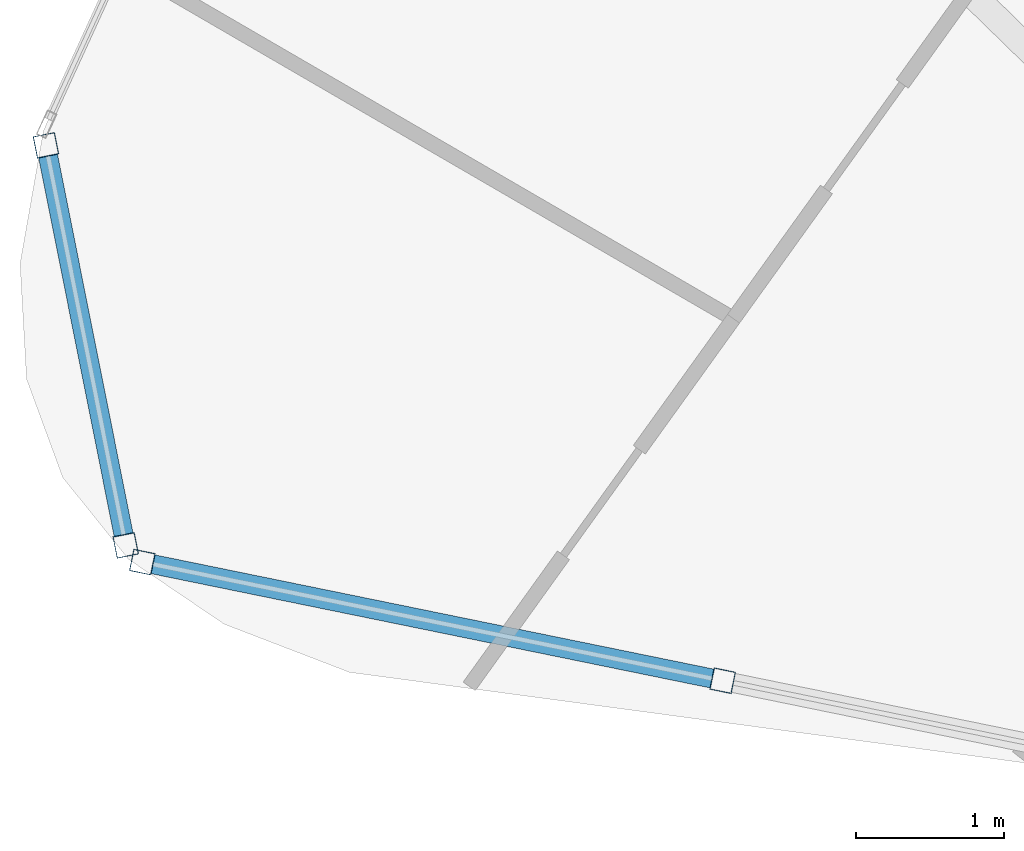
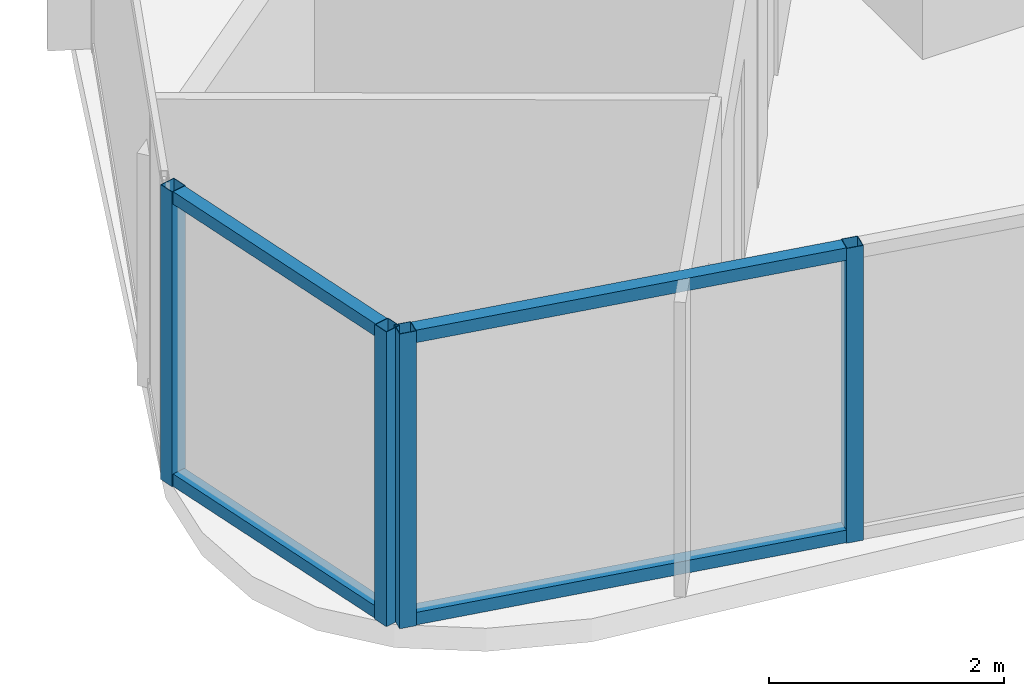
# One storey, part 2 of 37: 8 members, 2 elements without a shape of their own.
"""IFC4 building model written with IfcOpenShell, lengths in metres."""

import ifcopenshell
import ifcopenshell.guid

model = None  # the IFC model being written
_history = None  # IfcOwnerHistory: only IFC2X3 demands one
_inside = {}  # id of a spatial element -> (the spatial element, [elements in it])
_under = {}  # id of a project, library or spatial element -> (it, [spatial elements below it])
_declared = {}  # id of a project -> (the project, [libraries it declares])
_typed = {}  # id of a type object -> (the type object, [elements of that type])
_made_of = {}  # id of a material, layer set ... -> (it, [elements and type objects made of it])


def new_model(schema):
    """Start an empty IFC model of exactly this schema.

    Asked for "IFC4X3", IfcOpenShell would pick the latest addendum, in which some entities
    have other attributes; the version numbers below select the first issue.
    IFC2X3 requires an IfcOwnerHistory on every rooted entity: one is made here for all.
    """
    global model, _history
    if schema == "IFC4X3":
        model = ifcopenshell.file(schema_version=(4, 3, 0, 0))
    else:
        model = ifcopenshell.file(schema=schema)
    _inside.clear()
    _under.clear()
    _declared.clear()
    _typed.clear()
    _made_of.clear()
    _history = None
    if model.schema == "IFC2X3":
        org = make("IfcOrganization", Name="unknown")
        user = make(
            "IfcPersonAndOrganization",
            ThePerson=make("IfcPerson", FamilyName="unknown"),
            TheOrganization=org,
        )
        app = make(
            "IfcApplication",
            ApplicationDeveloper=org,
            Version="unknown",
            ApplicationFullName="unknown",
            ApplicationIdentifier="unknown",
        )
        _history = make(
            "IfcOwnerHistory",
            OwningUser=user,
            OwningApplication=app,
            ChangeAction="ADDED",
            CreationDate=0,
        )
    return model


def make(cls, **values):
    """One entity of the class cls with the attributes given. An attribute that is None is left unset."""
    return model.create_entity(
        cls, **{name: value for name, value in values.items() if value is not None}
    )


def rooted(cls, **values):
    """An entity with a GlobalId (a new one), such as an element, a storey or a relation."""
    return make(cls, GlobalId=ifcopenshell.guid.new(), OwnerHistory=_history, **values)


def si_unit(unit_type, name, prefix=None):
    """IfcSIUnit, for example si_unit("LENGTHUNIT", "METRE", prefix="MILLI")."""
    return make("IfcSIUnit", UnitType=unit_type, Prefix=prefix, Name=name)


def assignment(units):
    """IfcUnitAssignment: the units of a project."""
    return None if units is None else make("IfcUnitAssignment", Units=units)


def point(xyz):
    """IfcCartesianPoint."""
    return None if xyz is None else make("IfcCartesianPoint", Coordinates=xyz)


def direction(xyz):
    """IfcDirection."""
    return None if xyz is None else make("IfcDirection", DirectionRatios=xyz)


def frame(location, z_axis=None, x_axis=None):
    """IfcAxis2Placement3D, a coordinate frame: its origin and axes. An axis left out is left unset."""
    return make(
        "IfcAxis2Placement3D",
        Location=point(location),
        Axis=direction(z_axis),
        RefDirection=direction(x_axis),
    )


def frame_2d(location, x_axis=None):
    """IfcAxis2Placement2D, a coordinate frame in the plane: its origin and x axis."""
    return make(
        "IfcAxis2Placement2D", Location=point(location), RefDirection=direction(x_axis)
    )


def origin():
    """The frame at (0, 0, 0) with its axes left unset."""
    return frame((0.0, 0.0, 0.0))


def origin_2d():
    """The frame at (0, 0) in the plane with its x axis left unset."""
    return frame_2d((0.0, 0.0))


def place(relative_to, where):
    """IfcLocalPlacement: puts the frame where relative to a parent placement (None: the world)."""
    return make(
        "IfcLocalPlacement", PlacementRelTo=relative_to, RelativePlacement=where
    )


def context(
    kind, dimensions, precision=None, world=None, true_north=None, identifier=None
):
    """IfcGeometricRepresentationContext, for example the 3D "Model" context."""
    return make(
        "IfcGeometricRepresentationContext",
        ContextIdentifier=identifier,
        ContextType=kind,
        CoordinateSpaceDimension=dimensions,
        Precision=precision,
        WorldCoordinateSystem=world,
        TrueNorth=true_north,
    )


def subcontext(parent, identifier, kind, view, scale=None):
    """IfcGeometricRepresentationSubContext, for example "Body" below "Model"."""
    return make(
        "IfcGeometricRepresentationSubContext",
        ContextIdentifier=identifier,
        ContextType=kind,
        ParentContext=parent,
        TargetScale=scale,
        TargetView=view,
    )


def project(units=None, contexts=None):
    """IfcProject with its units and contexts."""
    return rooted(
        "IfcProject",
        Name="project",
        RepresentationContexts=contexts,
        UnitsInContext=assignment(units),
    )


def spatial(cls, under=None, at=None, **own):
    """A site, building, storey or space (cls), placed at a placement, below another one or the project."""
    s = rooted(cls, ObjectPlacement=at, **own)
    if under is not None:
        _under.setdefault(under.id(), (under, []))[1].append(s)
    return s


def profile(cls, at=None, kind="AREA", **sizes):
    """A parametric profile (cls). Its sizes go by their IFC names, for example OverallWidth=200.0."""
    return make(cls, ProfileType=kind, Position=at, **sizes)


def hollow_rectangle(**sizes):
    """IfcRectangleHollowProfileDef."""
    return profile("IfcRectangleHollowProfileDef", **sizes)


def extrude(swept, where, along, depth):
    """IfcExtrudedAreaSolid: the profile swept, set in the frame where, extruded along a direction by depth."""
    return make(
        "IfcExtrudedAreaSolid",
        SweptArea=swept,
        Position=where,
        ExtrudedDirection=direction(along),
        Depth=depth,
    )


def shape(context_of_items, identifier, shape_type, items):
    """IfcShapeRepresentation: the items that make up one representation, for example the "Body"."""
    return make(
        "IfcShapeRepresentation",
        ContextOfItems=context_of_items,
        RepresentationIdentifier=identifier,
        RepresentationType=shape_type,
        Items=items,
    )


def material(Name=None, Category=None):
    """IfcMaterial."""
    return make("IfcMaterial", Name=Name, Category=Category)


def layer(
    of_material, thickness, ventilated=None, Name=None, Category=None, Priority=None
):
    """IfcMaterialLayer: one layer of a wall or slab, of a material (None: an air gap)."""
    return make(
        "IfcMaterialLayer",
        Material=of_material,
        LayerThickness=thickness,
        IsVentilated=ventilated,
        Name=Name,
        Category=Category,
        Priority=Priority,
    )


def layer_set(layers, Name=None):
    """IfcMaterialLayerSet."""
    return make("IfcMaterialLayerSet", MaterialLayers=layers, LayerSetName=Name)


def material_profile(
    of_material, cross_section, Name=None, Category=None, Priority=None
):
    """IfcMaterialProfile: a cross section and its material."""
    return make(
        "IfcMaterialProfile",
        Name=Name,
        Material=of_material,
        Profile=cross_section,
        Priority=Priority,
        Category=Category,
    )


def profile_set(profiles, Name=None, composite=None):
    """IfcMaterialProfileSet."""
    return make(
        "IfcMaterialProfileSet",
        Name=Name,
        MaterialProfiles=profiles,
        CompositeProfile=composite,
    )


def made_of(thing, what):
    """Note that an element or type object is made of a material, layer set ...; save() writes the relation."""
    if what is not None:
        _made_of.setdefault(what.id(), (what, []))[1].append(thing)
    return thing


def type_object(cls, material=None, **own):
    """A type object (cls), such as IfcWallType, which elements share."""
    return made_of(rooted(cls, **own), material)


def element(
    cls,
    number,
    at=None,
    inside=None,
    cuts=None,
    type_object=None,
    material=None,
    context=None,
    identifier="Body",
    shape_type=None,
    held_by="IfcProductDefinitionShape",
    body=None,
    shapes=None,
    **own,
):
    """One element of the class cls, such as IfcWall. Its Tag is "e" and its number.

    at: its placement. inside: the storey or other place that contains it. cuts: it is an
    opening in that element (IfcRelVoidsElement). A single representation is given by context,
    identifier, shape_type and body (its items); several are given by shapes. held_by: the class
    of the entity that holds the representations. save() writes the other relations.
    """
    e = rooted(cls, Tag="e%d" % number, ObjectPlacement=at, **own)
    if body is not None:
        shapes = [shape(context, identifier, shape_type, body)]
    if shapes is not None:
        e.Representation = make(held_by, Representations=shapes)
    if inside is not None:
        _inside.setdefault(inside.id(), (inside, []))[1].append(e)
    if cuts is not None:
        rooted(
            "IfcRelVoidsElement", RelatingBuildingElement=cuts, RelatedOpeningElement=e
        )
    if type_object is not None:
        _typed.setdefault(type_object.id(), (type_object, []))[1].append(e)
    return made_of(e, material)


def aggregate(whole, parts):
    """IfcRelAggregates: a whole, such as a stair, and the parts it consists of."""
    return rooted("IfcRelAggregates", RelatingObject=whole, RelatedObjects=parts)


def save(model, path):
    """Write the relations noted so far, then the file.

    IfcRelAggregates (storeys below a building ...), IfcRelContainedInSpatialStructure (elements
    in a storey), IfcRelDefinesByType, IfcRelAssociatesMaterial and IfcRelDeclares: one each for
    every whole, place, type object, material and project.
    """
    for whole, parts in _under.values():
        aggregate(whole, parts)
    for where, things in _inside.values():
        rooted(
            "IfcRelContainedInSpatialStructure",
            RelatedElements=things,
            RelatingStructure=where,
        )
    for kind, things in _typed.values():
        rooted("IfcRelDefinesByType", RelatedObjects=things, RelatingType=kind)
    for what, things in _made_of.values():
        rooted("IfcRelAssociatesMaterial", RelatedObjects=things, RelatingMaterial=what)
    for by, libraries in _declared.values():
        rooted("IfcRelDeclares", RelatingContext=by, RelatedDefinitions=libraries)
    model.write(path)


model = new_model("IFC4")

# Units and contexts
model_context = context("Model", 3, precision=1e-05, world=origin(), true_north=direction((0.0, 1.0)))
body_context = subcontext(model_context, "Body", "Model", "MODEL_VIEW")
ifc_project = project(units=[si_unit("LENGTHUNIT", "METRE"), si_unit("AREAUNIT", "SQUARE_METRE"), si_unit("VOLUMEUNIT", "CUBIC_METRE"), si_unit("PLANEANGLEUNIT", "RADIAN"), si_unit("MASSUNIT", "GRAM", prefix="KILO")], contexts=[model_context])

# Site, building, storey
site_placement = place(None, origin())
site = spatial("IfcSite", under=ifc_project, at=site_placement, CompositionType="ELEMENT")
building_placement = place(site_placement, origin())
building = spatial("IfcBuilding", under=site, at=building_placement, Name="Orvanel Arch Residences", CompositionType="ELEMENT")
storey_placement = place(building_placement, frame((0.0, 0.0, 53.300048828125)))
storey = spatial("IfcBuildingStorey", under=building, at=storey_placement, Name="L14", CompositionType="ELEMENT", Elevation=53.300048828125)

# Curtain wall, members
ifc_material = material(Name="Bronze-anodised aluminium AA6063-T6", Category="aluminium")
ifc_layer = layer(ifc_material, 0.18994140625)
ifc_layer_set = layer_set([ifc_layer], Name="Bronze-anodised aluminium AA6063-T6")
curtain_wall_type = type_object("IfcCurtainWallType", Name="CW5-CRN-SYS", PredefinedType="NOTDEFINED", material=ifc_layer_set)
curtain_wall_1_placement = place(storey_placement, origin())
curtain_wall_1 = element("IfcCurtainWall", 1, at=curtain_wall_1_placement, inside=storey, type_object=curtain_wall_type, Name="L14 CW5-CRN-SYS Unitised Curtain Wall", PredefinedType="NOTDEFINED")
ifc_material_profile_1 = material_profile(ifc_material, hollow_rectangle(XDim=0.14990234375, YDim=0.14990234375, WallThickness=0.0048828125, at=origin_2d()), Name="ALU150x150x5")
ifc_profile_set_1 = profile_set([ifc_material_profile_1], Name="Bronze-anodised aluminium AA6063-T6")
member_type_1 = type_object("IfcMemberType", Name="MUL-150x150", PredefinedType="MULLION", material=ifc_profile_set_1)
member_1_placement = place(storey_placement, frame((4.765625, 7.345458984375, 0.0), z_axis=(0.0, 0.0, 1.0), x_axis=(0.980699441687, 0.19552136731, 0.0)))
member_1 = element("IfcMember", 2, at=member_1_placement, type_object=member_type_1, Name="CW-S5 mullion 1", PredefinedType="MULLION", context=body_context, shape_type="SweptSolid", body=[
    extrude(hollow_rectangle(XDim=0.14990234375, YDim=0.14990234375, WallThickness=0.0048828125, at=origin_2d()), origin(), (0.0, 0.0, 1.0), 3.06005859375),
])
member_2_placement = place(storey_placement, frame((5.305419921875, 4.638671875, 0.0), z_axis=(0.0, 0.0, 1.0), x_axis=(0.980699441687, 0.19552136731, 0.0)))
member_2 = element("IfcMember", 3, at=member_2_placement, type_object=member_type_1, Name="CW-S5 mullion 2", PredefinedType="MULLION", context=body_context, shape_type="SweptSolid", body=[
    extrude(hollow_rectangle(XDim=0.14990234375, YDim=0.14990234375, WallThickness=0.0048828125, at=origin_2d()), origin(), (0.0, 0.0, 1.0), 3.06005859375),
])

curtain_wall_2_placement = place(storey_placement, origin())
curtain_wall_2 = element("IfcCurtainWall", 4, at=curtain_wall_2_placement, inside=storey, type_object=curtain_wall_type, Name="L14 CW5-CRN-SYS Unitised Curtain Wall", PredefinedType="NOTDEFINED")
member_3_placement = place(storey_placement, frame((5.41748046875, 4.52587890625, 0.0), z_axis=(0.0, 0.0, 1.0), x_axis=(0.200235937609, 0.979747706958, 0.0)))
member_3 = element("IfcMember", 5, at=member_3_placement, type_object=member_type_1, Name="CW-S5 mullion 1", PredefinedType="MULLION", context=body_context, shape_type="SweptSolid", body=[
    extrude(hollow_rectangle(XDim=0.14990234375, YDim=0.14990234375, WallThickness=0.0048828125, at=origin_2d()), origin(), (0.0, 0.0, 1.0), 3.06005859375),
])
member_4_placement = place(storey_placement, frame((9.343994140625, 3.723388671875, 0.0), z_axis=(0.0, 0.0, 1.0), x_axis=(0.200235937609, 0.979747706958, 0.0)))
member_4 = element("IfcMember", 6, at=member_4_placement, type_object=member_type_1, Name="CW-S5 mullion 2", PredefinedType="MULLION", context=body_context, shape_type="SweptSolid", body=[
    extrude(hollow_rectangle(XDim=0.14990234375, YDim=0.14990234375, WallThickness=0.0048828125, at=origin_2d()), origin(), (0.0, 0.0, 1.0), 3.06005859375),
])

# Member
ifc_material_profile_2 = material_profile(ifc_material, hollow_rectangle(XDim=0.1298828125, YDim=0.1298828125, WallThickness=0.00439453125, at=origin_2d()), Name="ALU130x130x4.5")
ifc_profile_set_2 = profile_set([ifc_material_profile_2], Name="Bronze-anodised aluminium AA6063-T6")
member_type_2 = type_object("IfcMemberType", Name="TRN-130x130", PredefinedType="USERDEFINED", material=ifc_profile_set_2)
member_5_placement = place(storey_placement, frame((4.7802734375, 7.27197265625, 0.06494140625), z_axis=(0.195576494764, -0.980688449354, 0.0), x_axis=(0.980688449354, 0.195576494764, 0.0)))
member_5 = element("IfcMember", 7, at=member_5_placement, type_object=member_type_2, Name="CW-S5 transom 1.1", ObjectType="TRANSOM", PredefinedType="USERDEFINED", context=body_context, shape_type="SweptSolid", body=[
    extrude(hollow_rectangle(XDim=0.1298828125, YDim=0.1298828125, WallThickness=0.00439453125, at=origin_2d()), origin(), (0.0, 0.0, 1.0), 2.610107421875),
])

member_6_placement = place(storey_placement, frame((4.7802734375, 7.27197265625, 2.994873046875), z_axis=(0.195576494764, -0.980688449354, 0.0), x_axis=(0.980688449354, 0.195576494764, 0.0)))
member_6 = element("IfcMember", 8, at=member_6_placement, type_object=member_type_2, Name="CW-S5 transom 1.2", ObjectType="TRANSOM", PredefinedType="USERDEFINED", context=body_context, shape_type="SweptSolid", body=[
    extrude(hollow_rectangle(XDim=0.1298828125, YDim=0.1298828125, WallThickness=0.00439453125, at=origin_2d()), origin(), (0.0, 0.0, 1.0), 2.610107421875),
])

aggregate(curtain_wall_1, [member_1, member_2, member_5, member_6])

member_7_placement = place(storey_placement, frame((5.490966796875, 4.510986328125, 0.06494140625), z_axis=(0.97974683009, -0.200240228048, 0.0), x_axis=(0.200240228048, 0.97974683009, 0.0)))
member_7 = element("IfcMember", 9, at=member_7_placement, type_object=member_type_2, Name="CW-S5 transom 1.1", ObjectType="TRANSOM", PredefinedType="USERDEFINED", context=body_context, shape_type="SweptSolid", body=[
    extrude(hollow_rectangle(XDim=0.1298828125, YDim=0.1298828125, WallThickness=0.00439453125, at=origin_2d()), origin(), (0.0, 0.0, 1.0), 3.857666015625),
])

member_8_placement = place(storey_placement, frame((5.490966796875, 4.510986328125, 2.994873046875), z_axis=(0.97974683009, -0.200240228048, 0.0), x_axis=(0.200240228048, 0.97974683009, 0.0)))
member_8 = element("IfcMember", 10, at=member_8_placement, type_object=member_type_2, Name="CW-S5 transom 1.2", ObjectType="TRANSOM", PredefinedType="USERDEFINED", context=body_context, shape_type="SweptSolid", body=[
    extrude(hollow_rectangle(XDim=0.1298828125, YDim=0.1298828125, WallThickness=0.00439453125, at=origin_2d()), origin(), (0.0, 0.0, 1.0), 3.857666015625),
])

aggregate(curtain_wall_2, [member_3, member_4, member_7, member_8])

save(model, "model.ifc")
